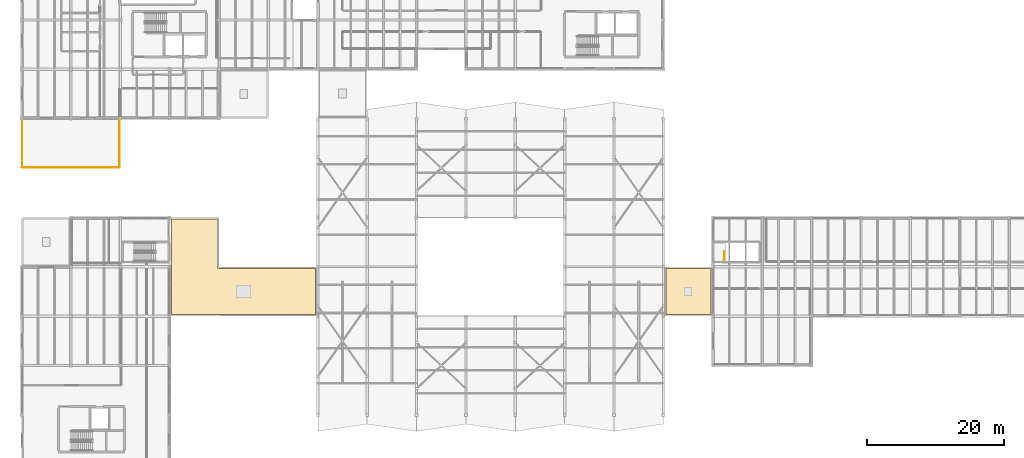
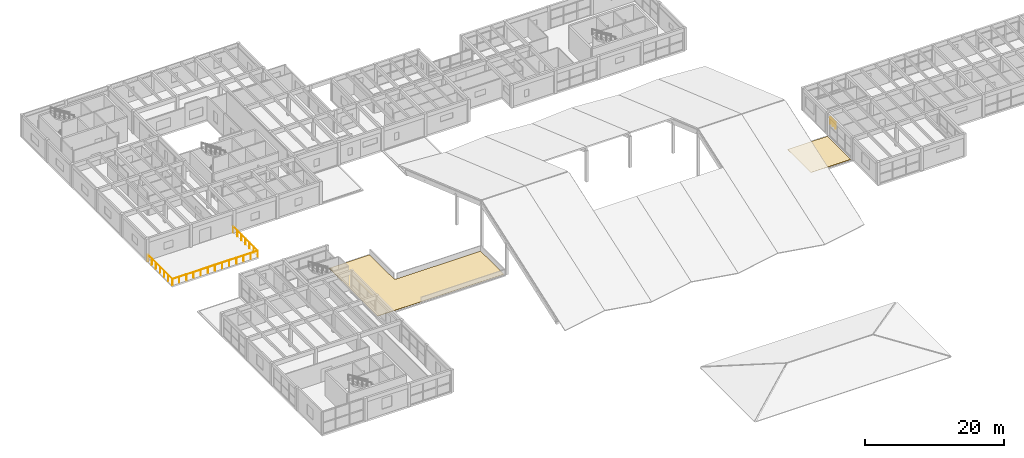
# One storey, part 64 of 68: 4 railings, 2 coverings.
"""IFC4 building model written with IfcOpenShell, lengths in metres."""

from ifc_helpers import new_model, si_unit, direction, frame, origin, origin_2d, place, context, subcontext, project, spatial, polyline, circle, outline, extrude, material, layer, layer_set, type_object, element, save


model = new_model("IFC4")

# Units and contexts
model_context = context("Model", 3, precision=1e-05, world=origin(), true_north=direction((0.0, 1.0)))
body_context = subcontext(model_context, "Body", "Model", "MODEL_VIEW")
ifc_project = project(units=[si_unit("LENGTHUNIT", "METRE"), si_unit("AREAUNIT", "SQUARE_METRE"), si_unit("VOLUMEUNIT", "CUBIC_METRE"), si_unit("PLANEANGLEUNIT", "RADIAN"), si_unit("MASSUNIT", "GRAM", prefix="KILO")], contexts=[model_context])

# Site, building, storey
site_placement = place(None, origin())
site = spatial("IfcSite", under=ifc_project, at=site_placement, CompositionType="ELEMENT")
building_placement = place(site_placement, origin())
building = spatial("IfcBuilding", under=site, at=building_placement, Name="Bramvelor Terrace Health Centre", CompositionType="ELEMENT")
storey_placement = place(building_placement, frame((0.0, 0.0, 9.300048828125)))
storey = spatial("IfcBuildingStorey", under=building, at=storey_placement, Name="L03", CompositionType="ELEMENT", Elevation=9.300048828125)

# Coverings
ifc_material_1 = material(Name="TPO standing-seam insulated roofing", Category="membrane")
ifc_layer = layer(ifc_material_1, 0.044921875)
ifc_layer_set = layer_set([ifc_layer], Name="TPO standing-seam insulated roofing")
covering_type = type_object("IfcCoveringType", Name="COV-ROOF-MEM", PredefinedType="ROOFING", material=ifc_layer_set)
covering_1_placement = place(storey_placement, frame((0.0, 0.0, -0.080078125)))
element("IfcCovering", 1, at=covering_1_placement, inside=storey, type_object=covering_type, Name="L03 Insulated Roof Membrane 4", PredefinedType="ROOFING", context=body_context, shape_type="SweptSolid", body=[
    extrude(outline(polyline([(93.93994140625, 57.360107421875), (100.550048828125, 57.360107421875), (100.550048828125, 50.639892578125), (93.93994140625, 50.639892578125), (93.93994140625, 57.360107421875)])), origin(), (0.0, 0.0, 1.0), 0.044921875),
])
covering_2_placement = place(storey_placement, frame((0.0, 0.0, -0.080078125)))
element("IfcCovering", 2, at=covering_2_placement, inside=storey, type_object=covering_type, Name="L03 Insulated Roof Membrane 6", PredefinedType="ROOFING", context=body_context, shape_type="SweptSolid", body=[
    extrude(outline(polyline([(28.56005859375, 57.60009765625), (28.561279296875, 57.576416015625), (28.564697265625, 57.55322265625), (28.5703125, 57.5302734375), (28.578369140625, 57.50830078125), (28.58837890625, 57.48681640625), (28.600341796875, 57.466796875), (28.614501953125, 57.44775390625), (28.63037109375, 57.430419921875), (28.647705078125, 57.41455078125), (28.666748046875, 57.400390625), (28.68701171875, 57.38818359375), (28.708251953125, 57.37841796875), (28.730224609375, 57.370361328125), (28.753173828125, 57.364501953125), (28.776611328125, 57.361083984375), (28.800048828125, 57.360107421875), (42.860107421875, 57.360107421875), (42.860107421875, 50.639892578125), (21.85009765625, 50.639892578125), (21.85009765625, 64.56005859375), (28.56005859375, 64.56005859375), (28.56005859375, 57.60009765625)])), origin(), (0.0, 0.0, 1.0), 0.044921875),
])

# Railings
ifc_material_2 = material(Name="Painted galvanized steel", Category="steel")
railing_type_1 = type_object("IfcRailingType", Name="RLG-GD-1100", PredefinedType="GUARDRAIL", material=ifc_material_2)
railing_1_placement = place(storey_placement, frame((102.52001953125, 58.39990234375, 0.0)))
element("IfcRailing", 3, at=railing_1_placement, inside=storey, type_object=railing_type_1, Name="L03 ST-5 top well guard 1", PredefinedType="GUARDRAIL", context=body_context, shape_type="SweptSolid", body=[
    extrude(circle(Radius=0.02392578125, at=origin_2d()), frame((0.0, 0.0, 1.076171875), z_axis=(0.0, 1.0, 0.0), x_axis=(-1.0, 0.0, 0.0)), (0.0, 0.0, 1.0), 1.4501953125),
    extrude(circle(Radius=0.02099609375, at=origin_2d()), origin(), (0.0, 0.0, 1.0), 1.052001953125),
    extrude(circle(Radius=0.02099609375, at=origin_2d()), frame((0.0, 0.72509765625, 0.0)), (0.0, 0.0, 1.0), 1.052001953125),
    extrude(circle(Radius=0.02099609375, at=origin_2d()), frame((0.0, 1.4501953125, 0.0)), (0.0, 0.0, 1.0), 1.052001953125),
])
ifc_material_3 = material(Name="Laminated safety glass and stainless steel", Category="steel")
railing_type_2 = type_object("IfcRailingType", Name="RLG-TER-1100", PredefinedType="BALUSTRADE", material=ifc_material_3)
railing_2_placement = place(storey_placement, frame((14.320068359375, 72.10009765625, 0.0)))
element("IfcRailing", 4, at=railing_2_placement, inside=storey, type_object=railing_type_2, Name="L03 Planted Terrace Safety Balustrade 1", PredefinedType="BALUSTRADE", context=body_context, shape_type="SweptSolid", body=[
    extrude(circle(Radius=0.02392578125, at=origin_2d()), frame((0.0, 0.0, 1.076171875), z_axis=(-1.0, 0.0, 0.0), x_axis=(0.0, -1.0, 0.0)), (0.0, 0.0, 1.0), 14.239990234375),
    extrude(circle(Radius=0.02099609375, at=origin_2d()), origin(), (0.0, 0.0, 1.0), 1.052001953125),
    extrude(circle(Radius=0.02099609375, at=origin_2d()), frame((-1.186767578125, 0.0, 0.0)), (0.0, 0.0, 1.0), 1.052001953125),
    extrude(circle(Radius=0.02099609375, at=origin_2d()), frame((-2.373291015625, 0.0, 0.0)), (0.0, 0.0, 1.0), 1.052001953125),
    extrude(circle(Radius=0.02099609375, at=origin_2d()), frame((-3.56005859375, 0.0, 0.0)), (0.0, 0.0, 1.0), 1.052001953125),
    extrude(circle(Radius=0.02099609375, at=origin_2d()), frame((-4.74658203125, 0.0, 0.0)), (0.0, 0.0, 1.0), 1.052001953125),
    extrude(circle(Radius=0.02099609375, at=origin_2d()), frame((-5.933349609375, 0.0, 0.0)), (0.0, 0.0, 1.0), 1.052001953125),
    extrude(circle(Radius=0.02099609375, at=origin_2d()), frame((-7.1201171875, 0.0, 0.0)), (0.0, 0.0, 1.0), 1.052001953125),
    extrude(circle(Radius=0.02099609375, at=origin_2d()), frame((-8.306640625, 0.0, 0.0)), (0.0, 0.0, 1.0), 1.052001953125),
    extrude(circle(Radius=0.02099609375, at=origin_2d()), frame((-9.493408203125, 0.0, 0.0)), (0.0, 0.0, 1.0), 1.052001953125),
    extrude(circle(Radius=0.02099609375, at=origin_2d()), frame((-10.679931640625, 0.0, 0.0)), (0.0, 0.0, 1.0), 1.052001953125),
    extrude(circle(Radius=0.02099609375, at=origin_2d()), frame((-11.86669921875, 0.0, 0.0)), (0.0, 0.0, 1.0), 1.052001953125),
    extrude(circle(Radius=0.02099609375, at=origin_2d()), frame((-13.05322265625, 0.0, 0.0)), (0.0, 0.0, 1.0), 1.052001953125),
    extrude(circle(Radius=0.02099609375, at=origin_2d()), frame((-14.239990234375, 0.0, 0.0)), (0.0, 0.0, 1.0), 1.052001953125),
])
railing_3_placement = place(storey_placement, frame((0.10009765625, 72.080078125, 0.0)))
element("IfcRailing", 5, at=railing_3_placement, inside=storey, type_object=railing_type_2, Name="L03 Planted Terrace Safety Balustrade 2", PredefinedType="BALUSTRADE", context=body_context, shape_type="SweptSolid", body=[
    extrude(circle(Radius=0.02392578125, at=origin_2d()), frame((0.0, 0.0, 1.076171875), z_axis=(0.0, 1.0, 0.0), x_axis=(-1.0, 0.0, 0.0)), (0.0, 0.0, 1.0), 7.034912109375),
    extrude(circle(Radius=0.02099609375, at=origin_2d()), origin(), (0.0, 0.0, 1.0), 1.052001953125),
    extrude(circle(Radius=0.02099609375, at=origin_2d()), frame((0.0, 1.17236328125, 0.0)), (0.0, 0.0, 1.0), 1.052001953125),
    extrude(circle(Radius=0.02099609375, at=origin_2d()), frame((0.0, 2.344970703125, 0.0)), (0.0, 0.0, 1.0), 1.052001953125),
    extrude(circle(Radius=0.02099609375, at=origin_2d()), frame((0.0, 3.517578125, 0.0)), (0.0, 0.0, 1.0), 1.052001953125),
    extrude(circle(Radius=0.02099609375, at=origin_2d()), frame((0.0, 4.68994140625, 0.0)), (0.0, 0.0, 1.0), 1.052001953125),
    extrude(circle(Radius=0.02099609375, at=origin_2d()), frame((0.0, 5.8623046875, 0.0)), (0.0, 0.0, 1.0), 1.052001953125),
    extrude(circle(Radius=0.02099609375, at=origin_2d()), frame((0.0, 7.034912109375, 0.0)), (0.0, 0.0, 1.0), 1.052001953125),
])
railing_4_placement = place(storey_placement, frame((14.300048828125, 79.114990234375, 0.0)))
element("IfcRailing", 6, at=railing_4_placement, inside=storey, type_object=railing_type_2, Name="L03 Planted Terrace Safety Balustrade 3", PredefinedType="BALUSTRADE", context=body_context, shape_type="SweptSolid", body=[
    extrude(circle(Radius=0.02392578125, at=origin_2d()), frame((0.0, 0.0, 1.076171875), z_axis=(0.0, -1.0, 0.0), x_axis=(1.0, 0.0, 0.0)), (0.0, 0.0, 1.0), 7.034912109375),
    extrude(circle(Radius=0.02099609375, at=origin_2d()), origin(), (0.0, 0.0, 1.0), 1.052001953125),
    extrude(circle(Radius=0.02099609375, at=origin_2d()), frame((0.0, -1.17236328125, 0.0)), (0.0, 0.0, 1.0), 1.052001953125),
    extrude(circle(Radius=0.02099609375, at=origin_2d()), frame((0.0, -2.344970703125, 0.0)), (0.0, 0.0, 1.0), 1.052001953125),
    extrude(circle(Radius=0.02099609375, at=origin_2d()), frame((0.0, -3.517578125, 0.0)), (0.0, 0.0, 1.0), 1.052001953125),
    extrude(circle(Radius=0.02099609375, at=origin_2d()), frame((0.0, -4.68994140625, 0.0)), (0.0, 0.0, 1.0), 1.052001953125),
    extrude(circle(Radius=0.02099609375, at=origin_2d()), frame((0.0, -5.8623046875, 0.0)), (0.0, 0.0, 1.0), 1.052001953125),
    extrude(circle(Radius=0.02099609375, at=origin_2d()), frame((0.0, -7.034912109375, 0.0)), (0.0, 0.0, 1.0), 1.052001953125),
])

save(model, "model.ifc")
